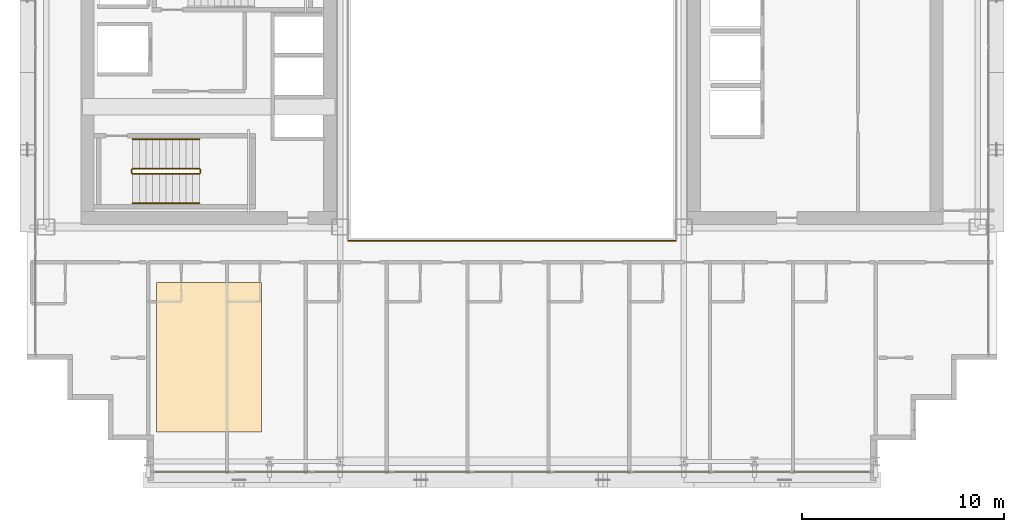
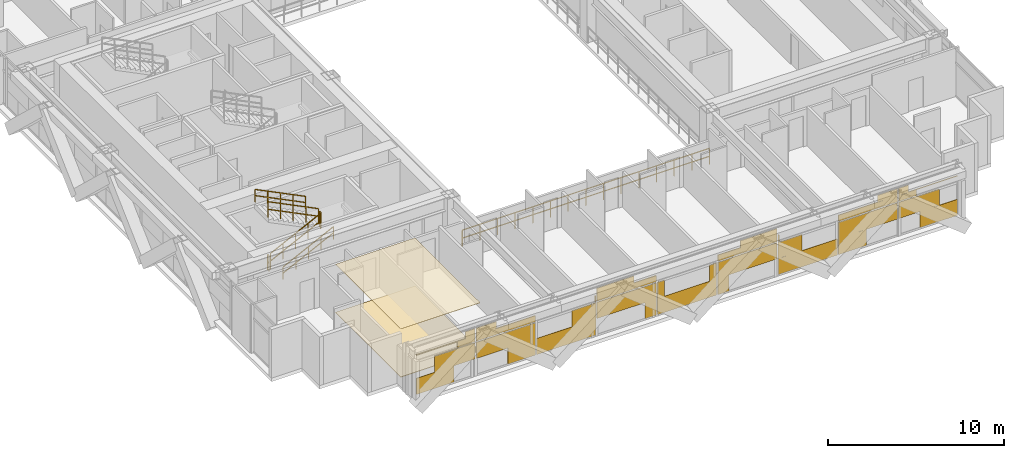
# One storey, part 33 of 36: 7 railings, 3 coverings.
"""IFC4 building model written with IfcOpenShell, lengths in metres."""

from ifc_helpers import new_model, si_unit, direction, frame, origin, origin_2d, place, context, subcontext, project, spatial, polyline, rectangle, outline, extrude, material, layer, layer_set, type_object, element, save


model = new_model("IFC4")

# Units and contexts
model_context = context("Model", 3, precision=1e-05, world=origin(), true_north=direction((0.0, 1.0)))
body_context = subcontext(model_context, "Body", "Model", "MODEL_VIEW")
ifc_project = project(units=[si_unit("LENGTHUNIT", "METRE"), si_unit("AREAUNIT", "SQUARE_METRE"), si_unit("VOLUMEUNIT", "CUBIC_METRE"), si_unit("PLANEANGLEUNIT", "RADIAN"), si_unit("MASSUNIT", "GRAM", prefix="KILO")], contexts=[model_context])

# Site, building, storey
site_placement = place(None, origin())
site = spatial("IfcSite", under=ifc_project, at=site_placement, CompositionType="ELEMENT")
building_placement = place(site_placement, origin())
building = spatial("IfcBuilding", under=site, at=building_placement, Name="Ocotamira Hotel", CompositionType="ELEMENT")
storey_placement = place(building_placement, frame((0.0, 0.0, 133.199951171875)))
storey = spatial("IfcBuildingStorey", under=building, at=storey_placement, Name="L33", CompositionType="ELEMENT", Elevation=133.199951171875)

# Coverings
ifc_material_1 = material(Name="Perforated acoustic gypsum ceiling board", Category="gypsum")
ifc_layer_1 = layer(ifc_material_1, 0.02490234375)
ifc_layer_set_1 = layer_set([ifc_layer_1], Name="Perforated acoustic gypsum ceiling board")
covering_type_1 = type_object("IfcCoveringType", Name="COV-CEIL-25", PredefinedType="CEILING", material=ifc_layer_set_1)
covering_1_placement = place(storey_placement, frame((0.0, 0.0, 3.3349609375)))
element("IfcCovering", 1, at=covering_1_placement, inside=storey, type_object=covering_type_1, Name="L33 Acoustic Ceiling", PredefinedType="CEILING", context=body_context, shape_type="SweptSolid", body=[
    extrude(outline(polyline([(14.39990234375, 4.39990234375), (19.60009765625, 4.39990234375), (19.60009765625, 11.800048828125), (14.39990234375, 11.800048828125), (14.39990234375, 4.39990234375)])), origin(), (0.0, 0.0, 1.0), 0.025146484375),
])
ifc_material_2 = material(Name="Honed desert travertine stone flooring", Category="masonry")
ifc_layer_2 = layer(ifc_material_2, 0.030029296875)
ifc_layer_set_2 = layer_set([ifc_layer_2], Name="Honed desert travertine stone flooring")
covering_type_2 = type_object("IfcCoveringType", Name="COV-FLOR-30", PredefinedType="FLOORING", material=ifc_layer_set_2)
covering_2_placement = place(storey_placement, origin())
element("IfcCovering", 2, at=covering_2_placement, inside=storey, type_object=covering_type_2, Name="L33 Honed Stone Floor Finish", PredefinedType="FLOORING", context=body_context, shape_type="SweptSolid", body=[
    extrude(outline(polyline([(14.39990234375, 4.39990234375), (19.60009765625, 4.39990234375), (19.60009765625, 11.800048828125), (14.39990234375, 11.800048828125), (14.39990234375, 4.39990234375)])), origin(), (0.0, 0.0, 1.0), 0.030029296875),
])
ifc_material_3 = material(Name="Insulated pale-metal aluminium spandrel panel", Category="aluminium")
ifc_layer_3 = layer(ifc_material_3, 0.044921875)
ifc_layer_set_3 = layer_set([ifc_layer_3], Name="Insulated pale-metal aluminium spandrel panel")
covering_type_3 = type_object("IfcCoveringType", Name="COV-INFILL-45", PredefinedType="CLADDING", material=ifc_layer_set_3)
covering_3_placement = place(storey_placement, origin())
element("IfcCovering", 3, at=covering_3_placement, inside=storey, type_object=covering_type_3, Name="L33 Curtain Wall Infill CW-3 CW-L33-S1", PredefinedType="CLADDING", context=body_context, shape_type="SweptSolid", body=[
    extrude(rectangle(XDim=2.464111328125, YDim=0.044921875, at=origin_2d()), frame((15.512451171875, 2.419921875, 0.07568359375), z_axis=(0.0, 0.0, 1.0), x_axis=(1.0, 0.0, 0.0)), (0.0, 0.0, 1.0), 1.117919921875),
    extrude(rectangle(XDim=2.650146484375, YDim=0.044921875, at=origin_2d()), frame((16.7900390625, 2.419921875, 1.1943359375), z_axis=(0.0, 0.0, 1.0), x_axis=(1.0, 0.0, 0.0)), (0.0, 0.0, 1.0), 1.11767578125),
    extrude(rectangle(XDim=3.834716796875, YDim=0.044921875, at=origin_2d()), frame((16.19775390625, 2.419921875, 2.78271484375), z_axis=(0.0, 0.0, 1.0), x_axis=(1.0, 0.0, 0.0)), (0.0, 0.0, 1.0), 0.0302734375),
    extrude(rectangle(XDim=1.157958984375, YDim=0.044921875, at=origin_2d()), frame((17.5361328125, 2.419921875, 2.38818359375), z_axis=(0.0, 0.0, 1.0), x_axis=(1.0, 0.0, 0.0)), (0.0, 0.0, 1.0), 0.3935546875),
    extrude(rectangle(XDim=0.625732421875, YDim=0.044921875, at=origin_2d()), frame((17.80224609375, 2.419921875, 2.813720703125), z_axis=(0.0, 0.0, 1.0), x_axis=(1.0, 0.0, 0.0)), (0.0, 0.0, 1.0), 0.470703125),
    extrude(rectangle(XDim=3.87451171875, YDim=0.044921875, at=origin_2d()), frame((20.13330078125, 2.419921875, 1.1943359375), z_axis=(0.0, 0.0, 1.0), x_axis=(1.0, 0.0, 0.0)), (0.0, 0.0, 1.0), 1.11767578125),
    extrude(rectangle(XDim=1.815185546875, YDim=0.044921875, at=origin_2d()), frame((21.1630859375, 2.419921875, 0.07568359375), z_axis=(0.0, 0.0, 1.0), x_axis=(1.0, 0.0, 0.0)), (0.0, 0.0, 1.0), 1.117919921875),
    extrude(rectangle(XDim=3.87451171875, YDim=0.044921875, at=origin_2d()), frame((20.13330078125, 2.419921875, 2.387939453125), z_axis=(0.0, 0.0, 1.0), x_axis=(1.0, 0.0, 0.0)), (0.0, 0.0, 1.0), 0.4248046875),
    extrude(rectangle(XDim=1.314697265625, YDim=0.044921875, at=origin_2d()), frame((18.853515625, 2.419921875, 2.813720703125), z_axis=(0.0, 0.0, 1.0), x_axis=(1.0, 0.0, 0.0)), (0.0, 0.0, 1.0), 0.470703125),
    extrude(rectangle(XDim=3.87451171875, YDim=0.044921875, at=origin_2d()), frame((24.0888671875, 2.419921875, 0.07568359375), z_axis=(0.0, 0.0, 1.0), x_axis=(1.0, 0.0, 0.0)), (0.0, 0.0, 1.0), 1.117919921875),
    extrude(rectangle(XDim=1.561279296875, YDim=0.044921875, at=origin_2d()), frame((25.24560546875, 2.419921875, 1.1943359375), z_axis=(0.0, 0.0, 1.0), x_axis=(1.0, 0.0, 0.0)), (0.0, 0.0, 1.0), 1.11767578125),
    extrude(rectangle(XDim=0.069091796875, YDim=0.044921875, at=origin_2d()), frame((25.99169921875, 2.419921875, 2.387939453125), z_axis=(0.0, 0.0, 1.0), x_axis=(1.0, 0.0, 0.0)), (0.0, 0.0, 1.0), 0.4248046875),
    extrude(rectangle(XDim=3.87451171875, YDim=0.044921875, at=origin_2d()), frame((28.04443359375, 2.419921875, 1.1943359375), z_axis=(0.0, 0.0, 1.0), x_axis=(1.0, 0.0, 0.0)), (0.0, 0.0, 1.0), 1.11767578125),
    extrude(rectangle(XDim=0.726318359375, YDim=0.044921875, at=origin_2d()), frame((29.61865234375, 2.419921875, 0.07568359375), z_axis=(0.0, 0.0, 1.0), x_axis=(1.0, 0.0, 0.0)), (0.0, 0.0, 1.0), 1.117919921875),
    extrude(rectangle(XDim=3.87451171875, YDim=0.044921875, at=origin_2d()), frame((28.04443359375, 2.419921875, 2.387939453125), z_axis=(0.0, 0.0, 1.0), x_axis=(1.0, 0.0, 0.0)), (0.0, 0.0, 1.0), 0.4248046875),
    extrude(rectangle(XDim=2.403564453125, YDim=0.044921875, at=origin_2d()), frame((27.308837890625, 2.419921875, 2.813720703125), z_axis=(0.0, 0.0, 1.0), x_axis=(1.0, 0.0, 0.0)), (0.0, 0.0, 1.0), 0.470703125),
    extrude(rectangle(XDim=3.87451171875, YDim=0.044921875, at=origin_2d()), frame((32.0, 2.419921875, 0.07568359375), z_axis=(0.0, 0.0, 1.0), x_axis=(1.0, 0.0, 0.0)), (0.0, 0.0, 1.0), 1.117919921875),
    extrude(rectangle(XDim=0.472412109375, YDim=0.044921875, at=origin_2d()), frame((30.298828125, 2.419921875, 1.1943359375), z_axis=(0.0, 0.0, 1.0), x_axis=(1.0, 0.0, 0.0)), (0.0, 0.0, 1.0), 1.11767578125),
    extrude(rectangle(XDim=0.472412109375, YDim=0.044921875, at=origin_2d()), frame((33.701171875, 2.419921875, 1.1943359375), z_axis=(0.0, 0.0, 1.0), x_axis=(1.0, 0.0, 0.0)), (0.0, 0.0, 1.0), 1.11767578125),
    extrude(rectangle(XDim=0.726318359375, YDim=0.044921875, at=origin_2d()), frame((34.38134765625, 2.419921875, 0.07568359375), z_axis=(0.0, 0.0, 1.0), x_axis=(1.0, 0.0, 0.0)), (0.0, 0.0, 1.0), 1.117919921875),
    extrude(rectangle(XDim=3.87451171875, YDim=0.044921875, at=origin_2d()), frame((35.95556640625, 2.419921875, 1.1943359375), z_axis=(0.0, 0.0, 1.0), x_axis=(1.0, 0.0, 0.0)), (0.0, 0.0, 1.0), 1.11767578125),
    extrude(rectangle(XDim=3.87451171875, YDim=0.044921875, at=origin_2d()), frame((35.95556640625, 2.419921875, 2.387939453125), z_axis=(0.0, 0.0, 1.0), x_axis=(1.0, 0.0, 0.0)), (0.0, 0.0, 1.0), 0.4248046875),
    extrude(rectangle(XDim=2.403564453125, YDim=0.044921875, at=origin_2d()), frame((36.691162109375, 2.419921875, 2.813720703125), z_axis=(0.0, 0.0, 1.0), x_axis=(1.0, 0.0, 0.0)), (0.0, 0.0, 1.0), 0.470703125),
    extrude(rectangle(XDim=3.87451171875, YDim=0.044921875, at=origin_2d()), frame((39.9111328125, 2.419921875, 0.07568359375), z_axis=(0.0, 0.0, 1.0), x_axis=(1.0, 0.0, 0.0)), (0.0, 0.0, 1.0), 1.117919921875),
    extrude(rectangle(XDim=1.561279296875, YDim=0.044921875, at=origin_2d()), frame((38.75439453125, 2.419921875, 1.1943359375), z_axis=(0.0, 0.0, 1.0), x_axis=(1.0, 0.0, 0.0)), (0.0, 0.0, 1.0), 1.11767578125),
    extrude(rectangle(XDim=0.069091796875, YDim=0.044921875, at=origin_2d()), frame((38.00830078125, 2.419921875, 2.387939453125), z_axis=(0.0, 0.0, 1.0), x_axis=(1.0, 0.0, 0.0)), (0.0, 0.0, 1.0), 0.4248046875),
    extrude(rectangle(XDim=1.815185546875, YDim=0.044921875, at=origin_2d()), frame((42.8369140625, 2.419921875, 0.07568359375), z_axis=(0.0, 0.0, 1.0), x_axis=(1.0, 0.0, 0.0)), (0.0, 0.0, 1.0), 1.117919921875),
    extrude(rectangle(XDim=3.87451171875, YDim=0.044921875, at=origin_2d()), frame((43.86669921875, 2.419921875, 1.1943359375), z_axis=(0.0, 0.0, 1.0), x_axis=(1.0, 0.0, 0.0)), (0.0, 0.0, 1.0), 1.11767578125),
    extrude(rectangle(XDim=3.87451171875, YDim=0.044921875, at=origin_2d()), frame((43.86669921875, 2.419921875, 2.387939453125), z_axis=(0.0, 0.0, 1.0), x_axis=(1.0, 0.0, 0.0)), (0.0, 0.0, 1.0), 0.4248046875),
    extrude(rectangle(XDim=1.314697265625, YDim=0.044921875, at=origin_2d()), frame((45.146484375, 2.419921875, 2.813720703125), z_axis=(0.0, 0.0, 1.0), x_axis=(1.0, 0.0, 0.0)), (0.0, 0.0, 1.0), 0.470703125),
    extrude(rectangle(XDim=2.650146484375, YDim=0.044921875, at=origin_2d()), frame((47.2099609375, 2.419921875, 1.1943359375), z_axis=(0.0, 0.0, 1.0), x_axis=(1.0, 0.0, 0.0)), (0.0, 0.0, 1.0), 1.11767578125),
    extrude(rectangle(XDim=2.464111328125, YDim=0.044921875, at=origin_2d()), frame((48.487548828125, 2.419921875, 0.07568359375), z_axis=(0.0, 0.0, 1.0), x_axis=(1.0, 0.0, 0.0)), (0.0, 0.0, 1.0), 1.117919921875),
    extrude(rectangle(XDim=1.157958984375, YDim=0.044921875, at=origin_2d()), frame((46.4638671875, 2.419921875, 2.38818359375), z_axis=(0.0, 0.0, 1.0), x_axis=(1.0, 0.0, 0.0)), (0.0, 0.0, 1.0), 0.3935546875),
    extrude(rectangle(XDim=3.834716796875, YDim=0.044921875, at=origin_2d()), frame((47.80224609375, 2.419921875, 2.78271484375), z_axis=(0.0, 0.0, 1.0), x_axis=(1.0, 0.0, 0.0)), (0.0, 0.0, 1.0), 0.0302734375),
    extrude(rectangle(XDim=0.625732421875, YDim=0.044921875, at=origin_2d()), frame((46.19775390625, 2.419921875, 2.813720703125), z_axis=(0.0, 0.0, 1.0), x_axis=(1.0, 0.0, 0.0)), (0.0, 0.0, 1.0), 0.470703125),
])

# Railings
ifc_material_4 = material(Name="Painted steel stair guardrail", Category="steel")
railing_type_1 = type_object("IfcRailingType", Name="RL-EDGE-1150", PredefinedType="GUARDRAIL", material=ifc_material_4)
railing_1_placement = place(storey_placement, frame((23.89990234375, 13.8798828125, 0.0)))
element("IfcRailing", 4, at=railing_1_placement, inside=storey, type_object=railing_type_1, Name="L33 Central Atrium Edge Guardrail S", PredefinedType="GUARDRAIL", context=body_context, shape_type="SweptSolid", body=[
    extrude(rectangle(XDim=0.048095703125, YDim=0.048095703125, at=origin_2d()), frame((0.0, 0.0, 1.1259765625), z_axis=(1.0, 0.0, 0.0), x_axis=(0.0, 1.0, 0.0)), (0.0, 0.0, 1.0), 16.2001953125),
    extrude(rectangle(XDim=0.048095703125, YDim=0.048095703125, at=origin_2d()), frame((0.0, 0.0, 0.574951171875), z_axis=(1.0, 0.0, 0.0), x_axis=(0.0, 1.0, 0.0)), (0.0, 0.0, 1.0), 16.2001953125),
    extrude(rectangle(XDim=0.0419921875, YDim=0.0419921875, at=origin_2d()), origin(), (0.0, 0.0, 1.0), 1.101806640625),
    extrude(rectangle(XDim=0.0419921875, YDim=0.0419921875, at=origin_2d()), frame((1.1572265625, 0.0, 0.0)), (0.0, 0.0, 1.0), 1.101806640625),
    extrude(rectangle(XDim=0.0419921875, YDim=0.0419921875, at=origin_2d()), frame((2.314208984375, 0.0, 0.0)), (0.0, 0.0, 1.0), 1.101806640625),
    extrude(rectangle(XDim=0.0419921875, YDim=0.0419921875, at=origin_2d()), frame((3.471435546875, 0.0, 0.0)), (0.0, 0.0, 1.0), 1.101806640625),
    extrude(rectangle(XDim=0.0419921875, YDim=0.0419921875, at=origin_2d()), frame((4.628662109375, 0.0, 0.0)), (0.0, 0.0, 1.0), 1.101806640625),
    extrude(rectangle(XDim=0.0419921875, YDim=0.0419921875, at=origin_2d()), frame((5.785888671875, 0.0, 0.0)), (0.0, 0.0, 1.0), 1.101806640625),
    extrude(rectangle(XDim=0.0419921875, YDim=0.0419921875, at=origin_2d()), frame((6.94287109375, 0.0, 0.0)), (0.0, 0.0, 1.0), 1.101806640625),
    extrude(rectangle(XDim=0.0419921875, YDim=0.0419921875, at=origin_2d()), frame((8.10009765625, 0.0, 0.0)), (0.0, 0.0, 1.0), 1.101806640625),
    extrude(rectangle(XDim=0.0419921875, YDim=0.0419921875, at=origin_2d()), frame((9.25732421875, 0.0, 0.0)), (0.0, 0.0, 1.0), 1.101806640625),
    extrude(rectangle(XDim=0.0419921875, YDim=0.0419921875, at=origin_2d()), frame((10.414306640625, 0.0, 0.0)), (0.0, 0.0, 1.0), 1.101806640625),
    extrude(rectangle(XDim=0.0419921875, YDim=0.0419921875, at=origin_2d()), frame((11.571533203125, 0.0, 0.0)), (0.0, 0.0, 1.0), 1.101806640625),
    extrude(rectangle(XDim=0.0419921875, YDim=0.0419921875, at=origin_2d()), frame((12.728759765625, 0.0, 0.0)), (0.0, 0.0, 1.0), 1.101806640625),
    extrude(rectangle(XDim=0.0419921875, YDim=0.0419921875, at=origin_2d()), frame((13.885986328125, 0.0, 0.0)), (0.0, 0.0, 1.0), 1.101806640625),
    extrude(rectangle(XDim=0.0419921875, YDim=0.0419921875, at=origin_2d()), frame((15.04296875, 0.0, 0.0)), (0.0, 0.0, 1.0), 1.101806640625),
    extrude(rectangle(XDim=0.0419921875, YDim=0.0419921875, at=origin_2d()), frame((16.2001953125, 0.0, 0.0)), (0.0, 0.0, 1.0), 1.101806640625),
])
ifc_material_5 = material(Name="Brushed stainless steel handrail", Category="steel")
railing_type_2 = type_object("IfcRailingType", Name="RL-HAND-900", PredefinedType="HANDRAIL", material=ifc_material_5)
railing_2_placement = place(storey_placement, frame((13.22998046875, 15.719970703125, 0.327392578125)))
element("IfcRailing", 5, at=railing_2_placement, inside=storey, type_object=railing_type_2, Name="L33 ST-1 stair handrail 1", PredefinedType="HANDRAIL", context=body_context, shape_type="SweptSolid", body=[
    extrude(rectangle(XDim=0.048095703125, YDim=0.048095703125, at=origin_2d()), frame((0.0, 0.0, 0.8759765625), z_axis=(0.895920123917, 0.0, 0.444215186098), x_axis=(0.0, 1.0, 0.0)), (0.0, 0.0, 1.0), 3.683349609375),
    extrude(rectangle(XDim=0.048095703125, YDim=0.048095703125, at=origin_2d()), frame((0.0, 0.0, 0.449951171875), z_axis=(0.895920123917, 0.0, 0.444215186098), x_axis=(0.0, 1.0, 0.0)), (0.0, 0.0, 1.0), 3.683349609375),
    extrude(rectangle(XDim=0.0419921875, YDim=0.0419921875, at=origin_2d()), origin(), (0.0, 0.0, 1.0), 0.851806640625),
    extrude(rectangle(XDim=0.0419921875, YDim=0.0419921875, at=origin_2d()), frame((0.824951171875, 0.0, 0.4091796875)), (0.0, 0.0, 1.0), 0.851806640625),
    extrude(rectangle(XDim=0.0419921875, YDim=0.0419921875, at=origin_2d()), frame((1.64990234375, 0.0, 0.818115234375)), (0.0, 0.0, 1.0), 0.851806640625),
    extrude(rectangle(XDim=0.0419921875, YDim=0.0419921875, at=origin_2d()), frame((2.47509765625, 0.0, 1.22705078125)), (0.0, 0.0, 1.0), 0.851806640625),
    extrude(rectangle(XDim=0.0419921875, YDim=0.0419921875, at=origin_2d()), frame((3.300048828125, 0.0, 1.63623046875)), (0.0, 0.0, 1.0), 0.851806640625),
])
railing_3_placement = place(storey_placement, frame((16.530029296875, 18.89990234375, 2.12744140625)))
element("IfcRailing", 6, at=railing_3_placement, inside=storey, type_object=railing_type_2, Name="L33 ST-1 stair handrail 2", PredefinedType="HANDRAIL", context=body_context, shape_type="SweptSolid", body=[
    extrude(rectangle(XDim=0.048095703125, YDim=0.048095703125, at=origin_2d()), frame((0.0, 0.0, 0.8759765625), z_axis=(-0.895920123917, 0.0, 0.444215186098), x_axis=(0.0, -1.0, 0.0)), (0.0, 0.0, 1.0), 3.683349609375),
    extrude(rectangle(XDim=0.048095703125, YDim=0.048095703125, at=origin_2d()), frame((0.0, 0.0, 0.449951171875), z_axis=(-0.895920123917, 0.0, 0.444215186098), x_axis=(0.0, -1.0, 0.0)), (0.0, 0.0, 1.0), 3.683349609375),
    extrude(rectangle(XDim=0.0419921875, YDim=0.0419921875, at=origin_2d()), origin(), (0.0, 0.0, 1.0), 0.851806640625),
    extrude(rectangle(XDim=0.0419921875, YDim=0.0419921875, at=origin_2d()), frame((-0.824951171875, 0.0, 0.4091796875)), (0.0, 0.0, 1.0), 0.851806640625),
    extrude(rectangle(XDim=0.0419921875, YDim=0.0419921875, at=origin_2d()), frame((-1.64990234375, 0.0, 0.818115234375)), (0.0, 0.0, 1.0), 0.851806640625),
    extrude(rectangle(XDim=0.0419921875, YDim=0.0419921875, at=origin_2d()), frame((-2.47509765625, 0.0, 1.22705078125)), (0.0, 0.0, 1.0), 0.851806640625),
    extrude(rectangle(XDim=0.0419921875, YDim=0.0419921875, at=origin_2d()), frame((-3.300048828125, 0.0, 1.63623046875)), (0.0, 0.0, 1.0), 0.851806640625),
])
railing_type_3 = type_object("IfcRailingType", Name="RL-STAIR-1100", PredefinedType="GUARDRAIL", material=ifc_material_4)
railing_4_placement = place(storey_placement, frame((13.22998046875, 17.179931640625, 0.16357421875)))
element("IfcRailing", 7, at=railing_4_placement, inside=storey, type_object=railing_type_3, Name="L33 ST-1 stair guard 1", PredefinedType="GUARDRAIL", context=body_context, shape_type="SweptSolid", body=[
    extrude(rectangle(XDim=0.048095703125, YDim=0.048095703125, at=origin_2d()), frame((0.0, 0.0, 1.076171875), z_axis=(0.895893744519, 0.0, 0.4442683857), x_axis=(0.0, 1.0, 0.0)), (0.0, 0.0, 1.0), 3.68359375),
    extrude(rectangle(XDim=0.048095703125, YDim=0.048095703125, at=origin_2d()), frame((0.0, 0.0, 0.550048828125), z_axis=(0.895893744519, 0.0, 0.4442683857), x_axis=(0.0, 1.0, 0.0)), (0.0, 0.0, 1.0), 3.68359375),
    extrude(rectangle(XDim=0.0419921875, YDim=0.0419921875, at=origin_2d()), origin(), (0.0, 0.0, 1.0), 1.052001953125),
    extrude(rectangle(XDim=0.0419921875, YDim=0.0419921875, at=origin_2d()), frame((0.824951171875, 0.0, 0.4091796875)), (0.0, 0.0, 1.0), 1.052001953125),
    extrude(rectangle(XDim=0.0419921875, YDim=0.0419921875, at=origin_2d()), frame((1.64990234375, 0.0, 0.818359375)), (0.0, 0.0, 1.0), 1.052001953125),
    extrude(rectangle(XDim=0.0419921875, YDim=0.0419921875, at=origin_2d()), frame((2.47509765625, 0.0, 1.227294921875)), (0.0, 0.0, 1.0), 1.052001953125),
    extrude(rectangle(XDim=0.0419921875, YDim=0.0419921875, at=origin_2d()), frame((3.300048828125, 0.0, 1.636474609375)), (0.0, 0.0, 1.0), 1.052001953125),
])
railing_5_placement = place(storey_placement, frame((16.580078125, 17.22998046875, 1.800048828125)))
element("IfcRailing", 8, at=railing_5_placement, inside=storey, type_object=railing_type_3, Name="L33 ST-1 stair guard 2", PredefinedType="GUARDRAIL", context=body_context, shape_type="SweptSolid", body=[
    extrude(rectangle(XDim=0.048095703125, YDim=0.048095703125, at=origin_2d()), frame((0.0, 0.0, 1.076171875), z_axis=(0.0, 1.0, 0.0), x_axis=(-1.0, 0.0, 0.0)), (0.0, 0.0, 1.0), 0.159912109375),
    extrude(rectangle(XDim=0.048095703125, YDim=0.048095703125, at=origin_2d()), frame((0.0, 0.0, 0.550048828125), z_axis=(0.0, 1.0, 0.0), x_axis=(-1.0, 0.0, 0.0)), (0.0, 0.0, 1.0), 0.159912109375),
    extrude(rectangle(XDim=0.0419921875, YDim=0.0419921875, at=origin_2d()), origin(), (0.0, 0.0, 1.0), 1.052001953125),
    extrude(rectangle(XDim=0.0419921875, YDim=0.0419921875, at=origin_2d()), frame((0.0, 0.159912109375, 0.0)), (0.0, 0.0, 1.0), 1.052001953125),
])
railing_6_placement = place(storey_placement, frame((16.530029296875, 17.43994140625, 1.963623046875)))
element("IfcRailing", 9, at=railing_6_placement, inside=storey, type_object=railing_type_3, Name="L33 ST-1 stair guard 3", PredefinedType="GUARDRAIL", context=body_context, shape_type="SweptSolid", body=[
    extrude(rectangle(XDim=0.048095703125, YDim=0.048095703125, at=origin_2d()), frame((0.0, 0.0, 1.076171875), z_axis=(-0.895893744519, 0.0, 0.4442683857), x_axis=(0.0, -1.0, 0.0)), (0.0, 0.0, 1.0), 3.68359375),
    extrude(rectangle(XDim=0.048095703125, YDim=0.048095703125, at=origin_2d()), frame((0.0, 0.0, 0.550048828125), z_axis=(-0.895893744519, 0.0, 0.4442683857), x_axis=(0.0, -1.0, 0.0)), (0.0, 0.0, 1.0), 3.68359375),
    extrude(rectangle(XDim=0.0419921875, YDim=0.0419921875, at=origin_2d()), origin(), (0.0, 0.0, 1.0), 1.052001953125),
    extrude(rectangle(XDim=0.0419921875, YDim=0.0419921875, at=origin_2d()), frame((-0.824951171875, 0.0, 0.4091796875)), (0.0, 0.0, 1.0), 1.052001953125),
    extrude(rectangle(XDim=0.0419921875, YDim=0.0419921875, at=origin_2d()), frame((-1.64990234375, 0.0, 0.818359375)), (0.0, 0.0, 1.0), 1.052001953125),
    extrude(rectangle(XDim=0.0419921875, YDim=0.0419921875, at=origin_2d()), frame((-2.47509765625, 0.0, 1.227294921875)), (0.0, 0.0, 1.0), 1.052001953125),
    extrude(rectangle(XDim=0.0419921875, YDim=0.0419921875, at=origin_2d()), frame((-3.300048828125, 0.0, 1.636474609375)), (0.0, 0.0, 1.0), 1.052001953125),
])
railing_7_placement = place(storey_placement, frame((13.179931640625, 17.22998046875, 0.0)))
element("IfcRailing", 10, at=railing_7_placement, inside=storey, type_object=railing_type_3, Name="L33 ST-1 stair guard 4", PredefinedType="GUARDRAIL", context=body_context, shape_type="SweptSolid", body=[
    extrude(rectangle(XDim=0.048095703125, YDim=0.048095703125, at=origin_2d()), frame((0.0, 0.0, 1.076171875), z_axis=(0.0, 1.0, 0.0), x_axis=(-1.0, 0.0, 0.0)), (0.0, 0.0, 1.0), 0.159912109375),
    extrude(rectangle(XDim=0.048095703125, YDim=0.048095703125, at=origin_2d()), frame((0.0, 0.0, 0.550048828125), z_axis=(0.0, 1.0, 0.0), x_axis=(-1.0, 0.0, 0.0)), (0.0, 0.0, 1.0), 0.159912109375),
    extrude(rectangle(XDim=0.0419921875, YDim=0.0419921875, at=origin_2d()), origin(), (0.0, 0.0, 1.0), 1.052001953125),
    extrude(rectangle(XDim=0.0419921875, YDim=0.0419921875, at=origin_2d()), frame((0.0, 0.159912109375, 0.0)), (0.0, 0.0, 1.0), 1.052001953125),
])

save(model, "model.ifc")
